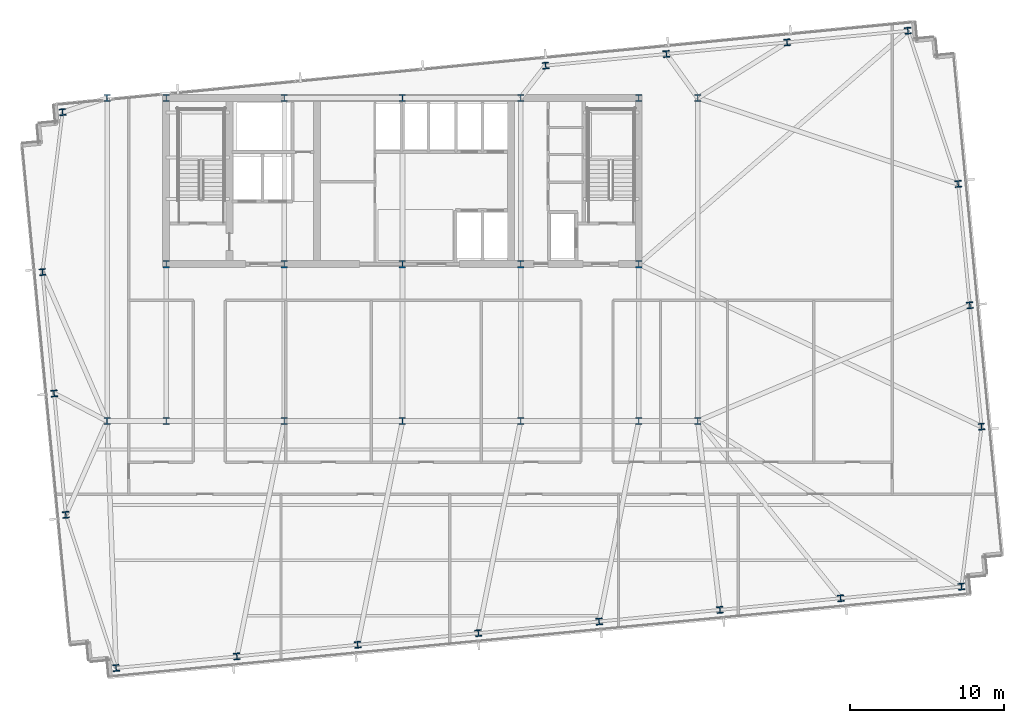
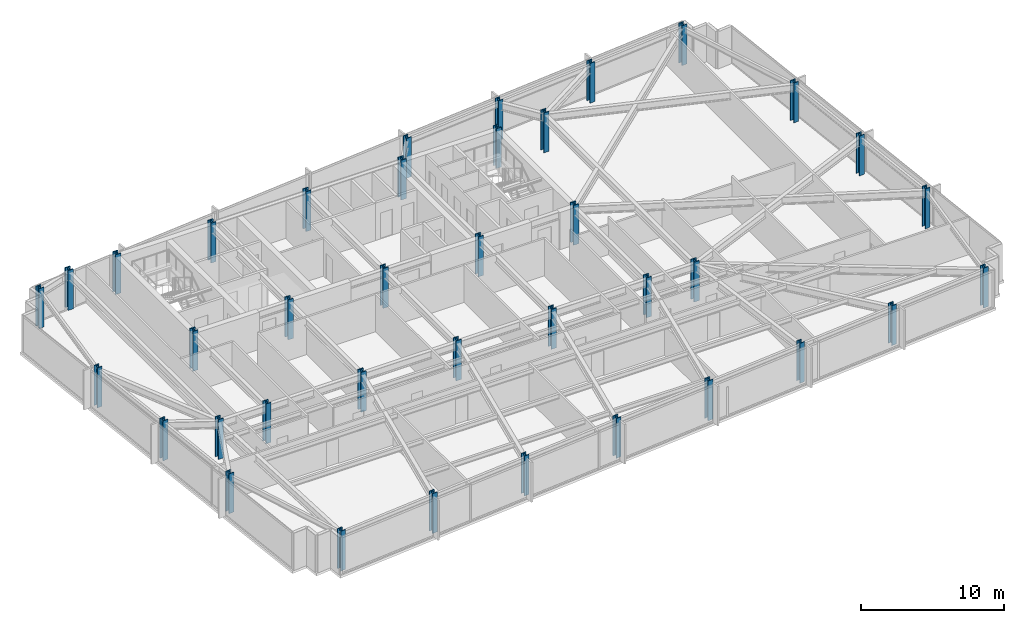
# One storey, part 1 of 33: 38 columns.
"""IFC4 building model written with IfcOpenShell, lengths in metres."""

from ifc_helpers import new_model, si_unit, direction, frame, origin, origin_2d, place, context, subcontext, project, spatial, i_section, extrude, material, material_profile, profile_set, type_object, element, save


model = new_model("IFC4")

# Units and contexts
model_context = context("Model", 3, precision=1e-05, world=origin(), true_north=direction((0.0, 1.0)))
body_context = subcontext(model_context, "Body", "Model", "MODEL_VIEW")
ifc_project = project(units=[si_unit("LENGTHUNIT", "METRE"), si_unit("AREAUNIT", "SQUARE_METRE"), si_unit("VOLUMEUNIT", "CUBIC_METRE"), si_unit("PLANEANGLEUNIT", "RADIAN"), si_unit("MASSUNIT", "GRAM", prefix="KILO")], contexts=[model_context])

# Site, building, storey
site_placement = place(None, origin())
site = spatial("IfcSite", under=ifc_project, at=site_placement, CompositionType="ELEMENT")
building_placement = place(site_placement, origin())
building = spatial("IfcBuilding", under=site, at=building_placement, Name="Yelkora Congress Tower", CompositionType="ELEMENT")
storey_placement = place(building_placement, frame((0.0, 0.0, 123.699951171875)))
storey = spatial("IfcBuildingStorey", under=building, at=storey_placement, Name="L33", CompositionType="ELEMENT", Elevation=123.699951171875)

# Columns
ifc_material = material(Name="Steel S460M", Category="steel")
ifc_material_profile_1 = material_profile(ifc_material, i_section(OverallWidth=0.412109375, OverallDepth=0.43505859375, WebThickness=0.035888671875, FlangeThickness=0.05810546875, FilletRadius=0.014892578125, at=origin_2d()), Name="HD 400x463")
ifc_profile_set_1 = profile_set([ifc_material_profile_1], Name="Steel S460M")
column_type_1 = type_object("IfcColumnType", Name="COL-HD-463-EXT", PredefinedType="COLUMN", material=ifc_profile_set_1)
for number, where, z_axis, x_axis, name in (
    (1, (19.785888671875, 9.144287109375, 0.0), (0.0, 0.0, 1.0), (0.995396198367, 0.09584575252, 0.0), "L33 Perimeter Column S01"),
    (2, (27.635498046875, 9.900146484375, 0.0), (0.0, 0.0, 1.0), (0.995396198367, 0.09584575252, 0.0), "L33 Perimeter Column S02"),
    (3, (35.48486328125, 10.656005859375, 0.0), (0.0, 0.0, 1.0), (0.995396198367, 0.09584575252, 0.0), "L33 Perimeter Column S03"),
    (4, (43.334228515625, 11.411865234375, 0.0), (0.0, 0.0, 1.0), (0.995396198367, 0.09584575252, 0.0), "L33 Perimeter Column S04"),
    (5, (51.18359375, 12.16748046875, 0.0), (0.0, 0.0, 1.0), (0.995396198367, 0.09584575252, 0.0), "L33 Perimeter Column S05"),
    (6, (59.033203125, 12.92333984375, 0.0), (0.0, 0.0, 1.0), (0.995396198367, 0.09584575252, 0.0), "L33 Perimeter Column S06"),
    (7, (66.882568359375, 13.67919921875, 0.0), (0.0, 0.0, 1.0), (0.995396198367, 0.09584575252, 0.0), "L33 Perimeter Column S07"),
    (8, (74.73193359375, 14.43505859375, 0.0), (0.0, 0.0, 1.0), (0.995396198367, 0.09584575252, 0.0), "L33 Perimeter Column S08"),
    (9, (16.306884765625, 45.27734375, 0.0), (0.0, 0.0, 1.0), (0.995396198367, 0.09584575252, 0.0), "L33 Perimeter Column N01"),
    (10, (47.70458984375, 48.300537109375, 0.0), (0.0, 0.0, 1.0), (0.995396198367, 0.09584575252, 0.0), "L33 Perimeter Column N05"),
    (11, (55.553955078125, 49.056396484375, 0.0), (0.0, 0.0, 1.0), (0.995396198367, 0.09584575252, 0.0), "L33 Perimeter Column N06"),
    (12, (63.4033203125, 49.81201171875, 0.0), (0.0, 0.0, 1.0), (0.995396198367, 0.09584575252, 0.0), "L33 Perimeter Column N07"),
    (13, (71.252685546875, 50.568115234375, 0.0), (0.0, 0.0, 1.0), (0.995396198367, 0.09584575252, 0.0), "L33 Perimeter Column N08"),
    (14, (16.5166015625, 19.101806640625, 0.0), (0.0, 0.0, 1.0), (0.995396198367, 0.09584575252, 0.0), "L33 Perimeter Column W01"),
    (15, (76.041259765625, 24.83349609375, 0.0), (0.0, 0.0, 1.0), (0.995396198367, 0.09584575252, 0.0), "L33 Perimeter Column E01"),
    (16, (15.757080078125, 26.990478515625, 0.0), (0.0, 0.0, 1.0), (0.995396198367, 0.09584575252, 0.0), "L33 Perimeter Column W02"),
    (17, (75.28173828125, 32.721923828125, 0.0), (0.0, 0.0, 1.0), (0.995396198367, 0.09584575252, 0.0), "L33 Perimeter Column E02"),
    (18, (14.997314453125, 34.87890625, 0.0), (0.0, 0.0, 1.0), (0.995396198367, 0.09584575252, 0.0), "L33 Perimeter Column W03"),
    (19, (74.522216796875, 40.610595703125, 0.0), (0.0, 0.0, 1.0), (0.995396198367, 0.09584575252, 0.0), "L33 Perimeter Column E03"),
):
    element("IfcColumn", number, at=place(storey_placement, frame(where, z_axis=z_axis, x_axis=x_axis)), inside=storey, type_object=column_type_1, Name=name, PredefinedType="COLUMN", context=body_context, shape_type="SweptSolid", body=[
        extrude(i_section(OverallWidth=0.412109375, OverallDepth=0.43505859375, WebThickness=0.035888671875, FlangeThickness=0.05810546875, FilletRadius=0.014892578125, at=origin_2d()), origin(), (0.0, 0.0, 1.0), 3.400146484375),
    ])
ifc_material_profile_2 = material_profile(ifc_material, i_section(OverallWidth=0.424072265625, OverallDepth=0.47412109375, WebThickness=0.047119140625, FlangeThickness=0.076904296875, FilletRadius=0.014892578125, at=origin_2d()), Name="HD 400x634")
ifc_profile_set_2 = profile_set([ifc_material_profile_2], Name="Steel S460M")
column_type_2 = type_object("IfcColumnType", Name="COL-HD-634", PredefinedType="COLUMN", material=ifc_profile_set_2)
for number, where, z_axis, x_axis, name in (
    (20, (23.0400390625, 35.39990234375, 0.0), (0.0, 0.0, 1.0), (1.0, 0.0, 0.0), "L33 Mega Column MC-S1"),
    (21, (23.0400390625, 46.199951171875, 0.0), (0.0, 0.0, 1.0), (1.0, 0.0, 0.0), "L33 Mega Column MC-N1"),
    (22, (23.0400390625, 25.199951171875, 0.0), (0.0, 0.0, 1.0), (1.0, 0.0, 0.0), "L33 Mega Column MC-D1"),
    (23, (30.719970703125, 35.39990234375, 0.0), (0.0, 0.0, 1.0), (1.0, 0.0, 0.0), "L33 Mega Column MC-S2"),
    (24, (30.719970703125, 46.199951171875, 0.0), (0.0, 0.0, 1.0), (1.0, 0.0, 0.0), "L33 Mega Column MC-N2"),
    (25, (30.719970703125, 25.199951171875, 0.0), (0.0, 0.0, 1.0), (1.0, 0.0, 0.0), "L33 Mega Column MC-D2"),
    (26, (38.39990234375, 35.39990234375, 0.0), (0.0, 0.0, 1.0), (1.0, 0.0, 0.0), "L33 Mega Column MC-S3"),
    (27, (38.39990234375, 46.199951171875, 0.0), (0.0, 0.0, 1.0), (1.0, 0.0, 0.0), "L33 Mega Column MC-N3"),
    (28, (38.39990234375, 25.199951171875, 0.0), (0.0, 0.0, 1.0), (1.0, 0.0, 0.0), "L33 Mega Column MC-D3"),
    (29, (46.080078125, 35.39990234375, 0.0), (0.0, 0.0, 1.0), (1.0, 0.0, 0.0), "L33 Mega Column MC-S4"),
    (30, (46.080078125, 46.199951171875, 0.0), (0.0, 0.0, 1.0), (1.0, 0.0, 0.0), "L33 Mega Column MC-N4"),
    (31, (46.080078125, 25.199951171875, 0.0), (0.0, 0.0, 1.0), (1.0, 0.0, 0.0), "L33 Mega Column MC-D4"),
    (32, (53.760009765625, 35.39990234375, 0.0), (0.0, 0.0, 1.0), (1.0, 0.0, 0.0), "L33 Mega Column MC-S5"),
    (33, (53.760009765625, 46.199951171875, 0.0), (0.0, 0.0, 1.0), (1.0, 0.0, 0.0), "L33 Mega Column MC-N5"),
    (34, (53.760009765625, 25.199951171875, 0.0), (0.0, 0.0, 1.0), (1.0, 0.0, 0.0), "L33 Mega Column MC-D5"),
    (35, (19.199951171875, 25.199951171875, 0.0), (0.0, 0.0, 1.0), (1.0, 0.0, 0.0), "L33 Mega Column MC-F1"),
    (36, (57.60009765625, 25.199951171875, 0.0), (0.0, 0.0, 1.0), (1.0, 0.0, 0.0), "L33 Mega Column MC-F2"),
    (37, (19.199951171875, 46.199951171875, 0.0), (0.0, 0.0, 1.0), (1.0, 0.0, 0.0), "L33 Mega Column MC-F3"),
    (38, (57.60009765625, 46.199951171875, 0.0), (0.0, 0.0, 1.0), (1.0, 0.0, 0.0), "L33 Mega Column MC-F4"),
):
    element("IfcColumn", number, at=place(storey_placement, frame(where, z_axis=z_axis, x_axis=x_axis)), inside=storey, type_object=column_type_2, Name=name, PredefinedType="COLUMN", context=body_context, shape_type="SweptSolid", body=[
        extrude(i_section(OverallWidth=0.424072265625, OverallDepth=0.47412109375, WebThickness=0.047119140625, FlangeThickness=0.076904296875, FilletRadius=0.014892578125, at=origin_2d()), origin(), (0.0, 0.0, 1.0), 3.400146484375),
    ])

save(model, "model.ifc")
